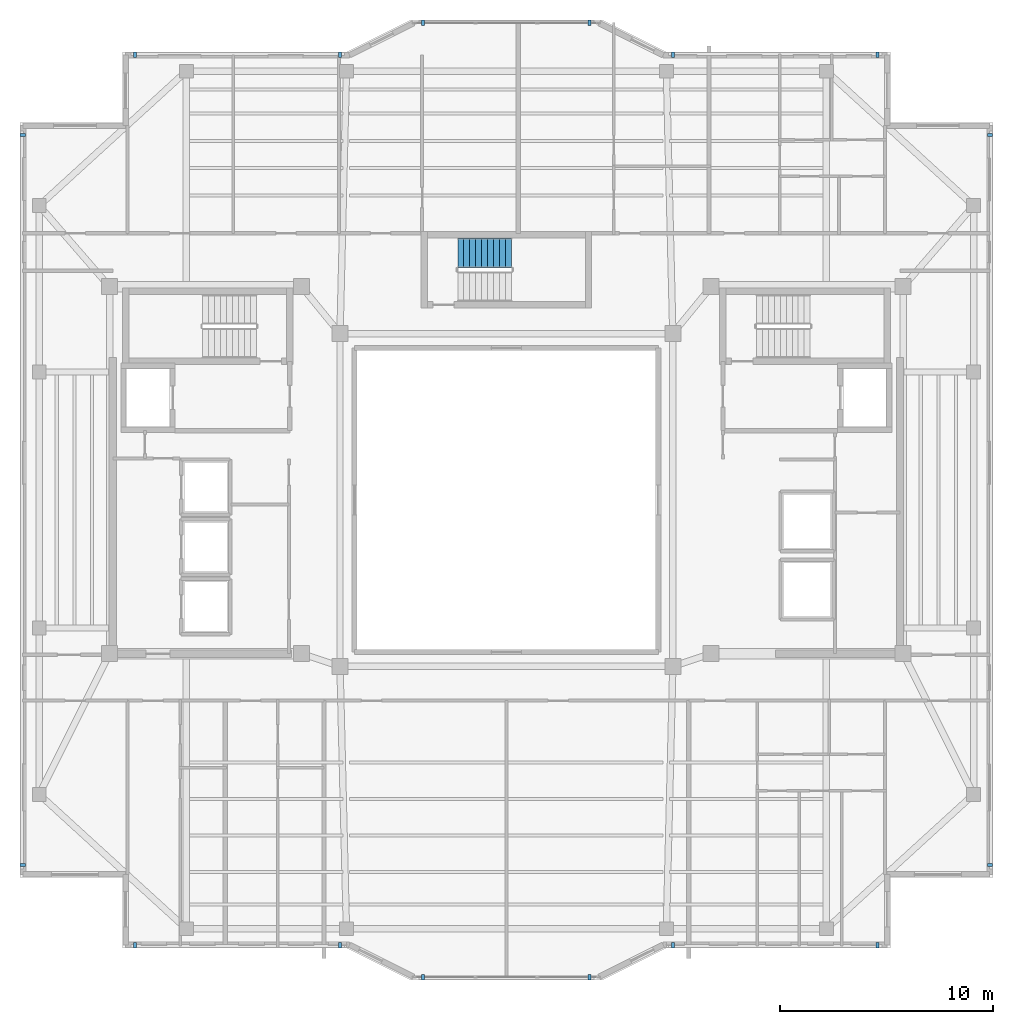
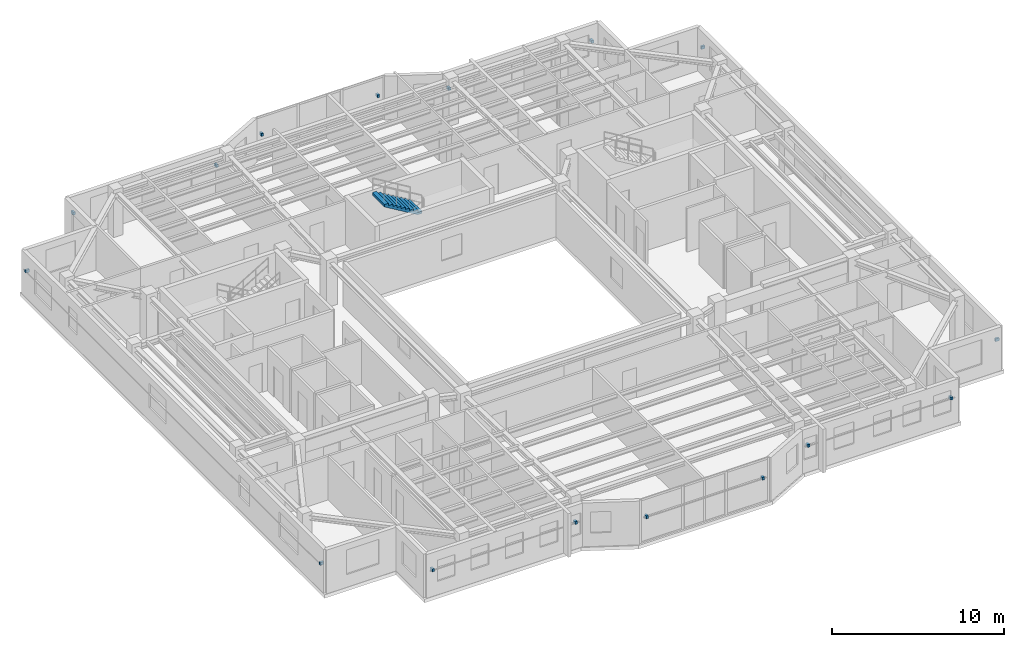
# One storey, part 11 of 14: 16 discrete accessories, 1 stair flight, 1 element without a shape of its own.
"""IFC4 building model written with IfcOpenShell, lengths in metres."""

from ifc_helpers import new_model, si_unit, direction, frame, origin, origin_2d, place, context, subcontext, project, spatial, polyline, rectangle, outline, extrude, material, type_object, element, aggregate, save


model = new_model("IFC4")

# Units and contexts
model_context = context("Model", 3, precision=1e-05, world=origin(), true_north=direction((0.0, 1.0)))
body_context = subcontext(model_context, "Body", "Model", "MODEL_VIEW")
ifc_project = project(units=[si_unit("LENGTHUNIT", "METRE"), si_unit("AREAUNIT", "SQUARE_METRE"), si_unit("VOLUMEUNIT", "CUBIC_METRE"), si_unit("PLANEANGLEUNIT", "RADIAN"), si_unit("MASSUNIT", "GRAM", prefix="KILO")], contexts=[model_context])

# Site, building, storey
site_placement = place(None, origin())
site = spatial("IfcSite", under=ifc_project, at=site_placement, CompositionType="ELEMENT")
building_placement = place(site_placement, origin())
building = spatial("IfcBuilding", under=site, at=building_placement, Name="Tarnavaz Court Tower", CompositionType="ELEMENT")
storey_placement = place(building_placement, frame((0.0, 0.0, 258.25)))
storey = spatial("IfcBuildingStorey", under=building, at=storey_placement, Name="L70", CompositionType="ELEMENT", Elevation=258.25)

# Stair, stair flight
ifc_material_1 = material(Name="Concrete C40/50", Category="concrete")
stair_type = type_object("IfcStairType", Name="ST-TWR-20R", PredefinedType="HALF_TURN_STAIR", material=ifc_material_1)
stair_placement = place(storey_placement, origin())
stair = element("IfcStair", 1, at=stair_placement, inside=storey, type_object=stair_type, Name="L70 North Ring Pressurized Exit Stair ST-N1", PredefinedType="HALF_TURN_STAIR")
stair_flight_type = type_object("IfcStairFlightType", Name="SFL-RC-20R", PredefinedType="STRAIGHT", material=ifc_material_1)
stair_flight_placement = place(storey_placement, frame((0.239990234375, 11.580078125, 1.675048828125), z_axis=(0.0, 0.0, 1.0), x_axis=(-1.0, 0.0, 0.0)))
stair_flight = element("IfcStairFlight", 2, at=stair_flight_placement, type_object=stair_flight_type, Name="ST-N1 flight 2", NumberOfRisers=10, NumberOfTreads=9, PredefinedType="STRAIGHT", RiserHeight=0.1675, TreadLength=0.28, context=body_context, shape_type="SweptSolid", body=[
    extrude(outline(polyline([(0.0, 0.0), (0.0, 0.16748046875), (0.280029296875, 0.16748046875), (0.280029296875, 0.3349609375), (0.56005859375, 0.3349609375), (0.56005859375, 0.50244140625), (0.840087890625, 0.50244140625), (0.840087890625, 0.669921875), (1.1201171875, 0.669921875), (1.1201171875, 0.83740234375), (1.39990234375, 0.83740234375), (1.39990234375, 1.0048828125), (1.679931640625, 1.0048828125), (1.679931640625, 1.172607421875), (1.9599609375, 1.172607421875), (1.9599609375, 1.340087890625), (2.239990234375, 1.340087890625), (2.239990234375, 1.507568359375), (2.52001953125, 1.507568359375), (2.52001953125, 1.675048828125), (2.52001953125, 1.332763671875), (0.2919921875, 0.0), (0.0, 0.0)])), frame((0.0, 0.7099609375, 0.0), z_axis=(0.0, -1.0, 0.0), x_axis=(1.0, 0.0, 0.0)), (0.0, 0.0, 1.0), 1.419921875),
])
aggregate(stair, [stair_flight])

# Discrete accessories
ifc_material_2 = material(Name="Anodised Aluminium 6063-T6", Category="aluminium")
discrete_accessory_type = type_object("IfcDiscreteAccessoryType", Name="DA-BRKT-ALU", PredefinedType="BRACKET", material=ifc_material_2)
for number, where, z_axis, x_axis, name in (
    (3, (-22.669921875, -17.10009765625, 1.75), (0.0, 0.0, 1.0), (0.0, 1.0, 0.0), "L70 Baguette Outrigger Bracket FBG02-1"),
    (4, (-22.669921875, 17.10009765625, 1.75), (0.0, 0.0, 1.0), (0.0, 1.0, 0.0), "L70 Baguette Outrigger Bracket FBG02-2"),
    (5, (-17.39990234375, 20.8701171875, 1.75), (0.0, 0.0, 1.0), (1.0, 0.0, 0.0), "L70 Baguette Outrigger Bracket FBG05-1"),
    (6, (-7.800048828125, 20.8701171875, 1.75), (0.0, 0.0, 1.0), (1.0, 0.0, 0.0), "L70 Baguette Outrigger Bracket FBG05-2"),
    (7, (-3.89990234375, 22.3701171875, 1.7001953125), (0.0, 0.0, 1.0), (1.0, 0.0, 0.0), "L70 Baguette Outrigger Bracket PBG7-1"),
    (8, (3.89990234375, 22.3701171875, 1.7001953125), (0.0, 0.0, 1.0), (1.0, 0.0, 0.0), "L70 Baguette Outrigger Bracket PBG7-2"),
    (9, (7.800048828125, 20.8701171875, 1.75), (0.0, 0.0, 1.0), (1.0, 0.0, 0.0), "L70 Baguette Outrigger Bracket FBG09-1"),
    (10, (17.39990234375, 20.8701171875, 1.75), (0.0, 0.0, 1.0), (1.0, 0.0, 0.0), "L70 Baguette Outrigger Bracket FBG09-2"),
    (11, (22.669921875, 17.10009765625, 1.75), (0.0, 0.0, 1.0), (0.0, -1.0, 0.0), "L70 Baguette Outrigger Bracket FBG12-1"),
    (12, (22.669921875, -17.10009765625, 1.75), (0.0, 0.0, 1.0), (0.0, -1.0, 0.0), "L70 Baguette Outrigger Bracket FBG12-2"),
    (13, (17.39990234375, -20.8701171875, 1.75), (0.0, 0.0, 1.0), (-1.0, 0.0, 0.0), "L70 Baguette Outrigger Bracket FBG15-1"),
    (14, (7.800048828125, -20.8701171875, 1.75), (0.0, 0.0, 1.0), (-1.0, 0.0, 0.0), "L70 Baguette Outrigger Bracket FBG15-2"),
    (15, (3.89990234375, -22.3701171875, 1.7001953125), (0.0, 0.0, 1.0), (-1.0, 0.0, 0.0), "L70 Baguette Outrigger Bracket PBG17-1"),
    (16, (-3.89990234375, -22.3701171875, 1.7001953125), (0.0, 0.0, 1.0), (-1.0, 0.0, 0.0), "L70 Baguette Outrigger Bracket PBG17-2"),
    (17, (-7.800048828125, -20.8701171875, 1.75), (0.0, 0.0, 1.0), (-1.0, 0.0, 0.0), "L70 Baguette Outrigger Bracket FBG19-1"),
    (18, (-17.39990234375, -20.8701171875, 1.75), (0.0, 0.0, 1.0), (-1.0, 0.0, 0.0), "L70 Baguette Outrigger Bracket FBG19-2"),
):
    element("IfcDiscreteAccessory", number, at=place(storey_placement, frame(where, z_axis=z_axis, x_axis=x_axis)), inside=storey, type_object=discrete_accessory_type, Name=name, PredefinedType="BRACKET", context=body_context, shape_type="SweptSolid", body=[
        extrude(rectangle(XDim=0.139892578125, YDim=0.239990234375, at=origin_2d()), origin(), (0.0, 0.0, 1.0), 0.199951171875),
    ])

save(model, "model.ifc")
